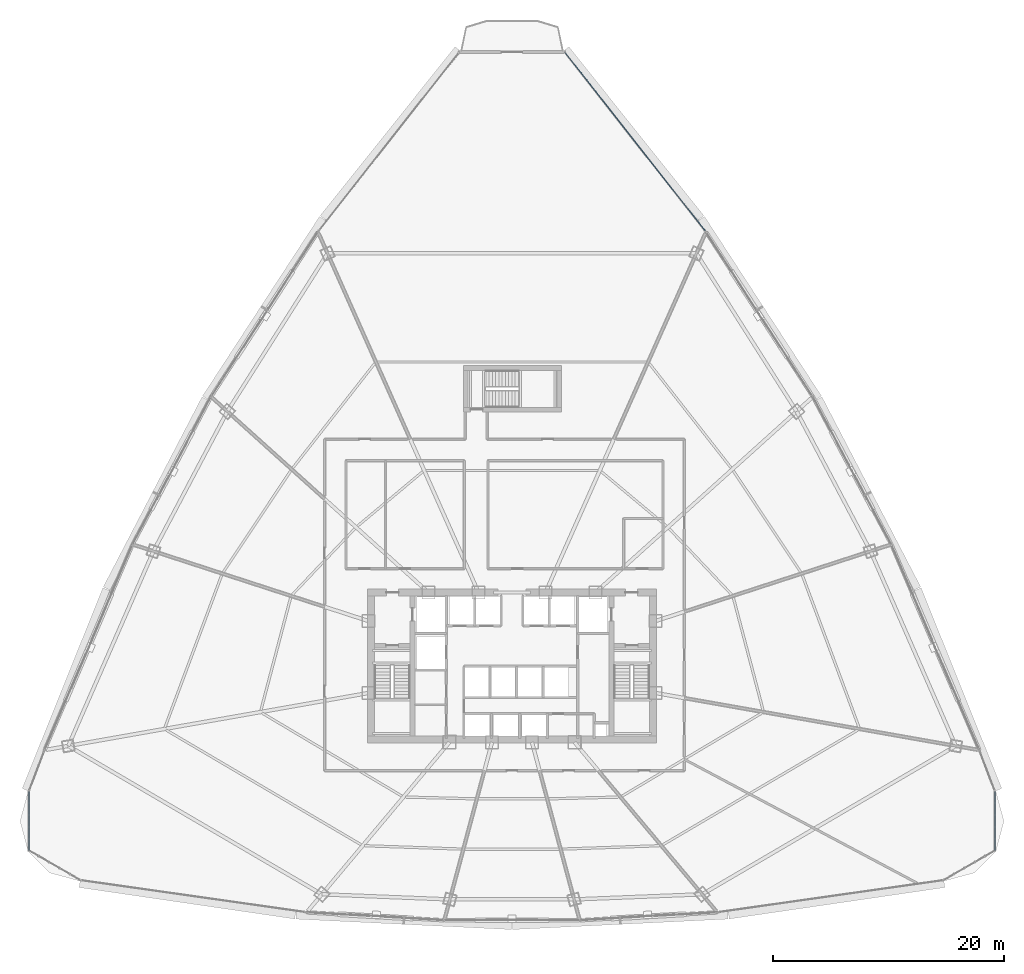
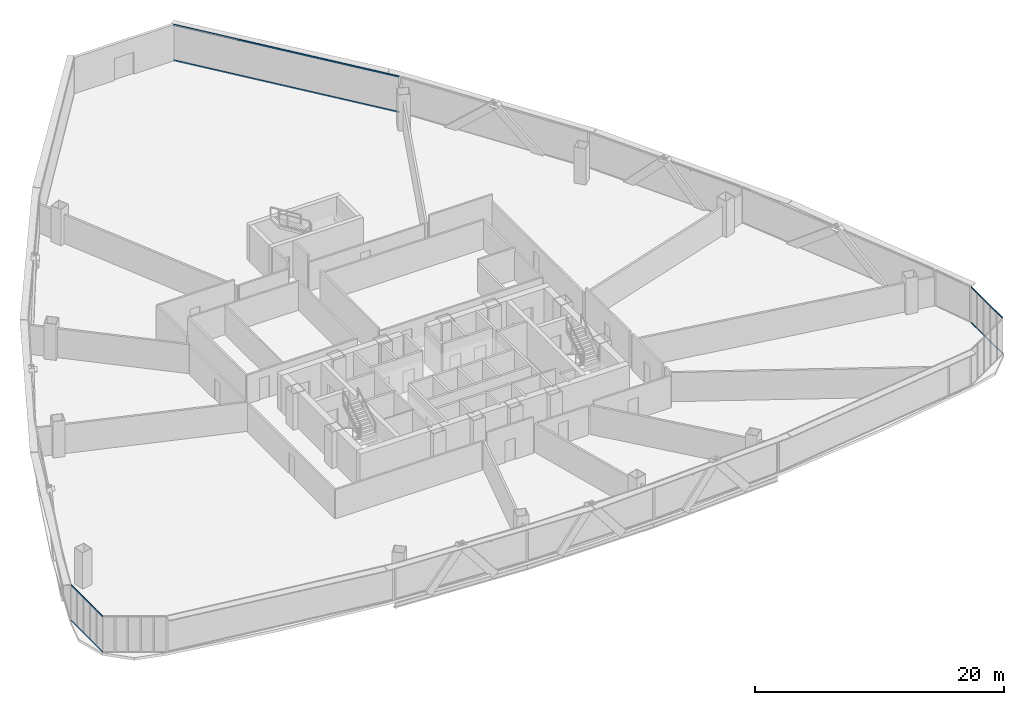
# One storey, part 27 of 39: 22 members, 3 elements without a shape of their own.
"""IFC4 building model written with IfcOpenShell, lengths in metres."""

from ifc_helpers import new_model, si_unit, direction, frame, origin, origin_2d, place, context, subcontext, project, spatial, hollow_rectangle, extrude, source, transform, mapped, material, layer, layer_set, material_profile, profile_set, type_object, element, aggregate, save


model = new_model("IFC4")

# Units and contexts
model_context = context("Model", 3, precision=1e-05, world=origin(), true_north=direction((0.0, 1.0)))
body_context = subcontext(model_context, "Body", "Model", "MODEL_VIEW")
ifc_project = project(units=[si_unit("LENGTHUNIT", "METRE"), si_unit("AREAUNIT", "SQUARE_METRE"), si_unit("VOLUMEUNIT", "CUBIC_METRE"), si_unit("PLANEANGLEUNIT", "RADIAN"), si_unit("MASSUNIT", "GRAM", prefix="KILO"), si_unit("THERMODYNAMICTEMPERATUREUNIT", "KELVIN"), si_unit("POWERUNIT", "WATT")], contexts=[model_context])

# Site, building, storey
site_placement = place(None, origin())
site = spatial("IfcSite", under=ifc_project, at=site_placement, CompositionType="ELEMENT")
building_placement = place(site_placement, origin())
building = spatial("IfcBuilding", under=site, at=building_placement, Name="Yunzhuo Pagoda Commons", CompositionType="ELEMENT")
storey_placement = place(building_placement, frame((0.0, 0.0, 100.179931640625)))
storey = spatial("IfcBuildingStorey", under=building, at=storey_placement, Name="L25", CompositionType="ELEMENT", Elevation=100.179931640625)

# Curtain wall, members
ifc_material = material(Name="Anodized aluminium 6063-T6", Category="aluminium")
ifc_layer_1 = layer(ifc_material, 0.1650390625)
ifc_layer_set_1 = layer_set([ifc_layer_1], Name="Anodized aluminium 6063-T6")
curtain_wall_type_1 = type_object("IfcCurtainWallType", Name="CW-LOW Low-Zone Ribbon Curtain Wall", PredefinedType="NOTDEFINED", material=ifc_layer_set_1)
curtain_wall_1_placement = place(storey_placement, origin())
curtain_wall_1 = element("IfcCurtainWall", 1, at=curtain_wall_1_placement, inside=storey, type_object=curtain_wall_type_1, Name="L25 curtain wall CW-L25-F2B5", PredefinedType="NOTDEFINED")
ifc_material_profile_1 = material_profile(ifc_material, hollow_rectangle(XDim=0.06005859375, YDim=0.139892578125, WallThickness=0.00341796875, at=origin_2d()), Name="Anodized aluminium 6063-T6")
ifc_profile_set_1 = profile_set([ifc_material_profile_1], Name="Anodized aluminium 6063-T6")
member_type_1 = type_object("IfcMemberType", Name="CW-LOW-T Transom RHS 140x60x3.5", PredefinedType="USERDEFINED", material=ifc_profile_set_1)
shared_shape_1 = source(origin(), body_context, "Body", "SweptSolid", [
    extrude(hollow_rectangle(XDim=0.06005859375, YDim=0.139892578125, WallThickness=0.00341796875, at=origin_2d()), origin(), (0.0, 0.0, 1.0), 19.558349609375),
])
member_1_placement = place(storey_placement, frame((64.683837890625, 71.476806640625, 0.030029296875), z_axis=(-0.617957159447, 0.786211771146, 0.0), x_axis=(-0.786211771146, -0.617957159447, 0.0)))
member_1 = element("IfcMember", 2, at=member_1_placement, type_object=member_type_1, Name="CW transom 1.1", ObjectType="TRANSOM", PredefinedType="USERDEFINED", context=body_context, shape_type="MappedRepresentation", body=[
    mapped(shared_shape_1, transform((0.0, 0.0, 0.0), scale=1.0)),
])
member_2_placement = place(storey_placement, frame((64.683837890625, 71.476806640625, 3.510009765625), z_axis=(-0.617957159447, 0.786211771146, 0.0), x_axis=(-0.786211771146, -0.617957159447, 0.0)))
member_2 = element("IfcMember", 3, at=member_2_placement, type_object=member_type_1, Name="CW transom 1.2", ObjectType="TRANSOM", PredefinedType="USERDEFINED", context=body_context, shape_type="MappedRepresentation", body=[
    mapped(shared_shape_1, transform((0.0, 0.0, 0.0), scale=1.0)),
])
aggregate(curtain_wall_1, [member_1, member_2])

ifc_layer_2 = layer(ifc_material, 0.1298828125)
ifc_layer_set_2 = layer_set([ifc_layer_2], Name="Anodized aluminium 6063-T6")
curtain_wall_type_2 = type_object("IfcCurtainWallType", Name="CW-VTX Rounded Corner Curtain Wall", PredefinedType="NOTDEFINED", material=ifc_layer_set_2)
curtain_wall_2_placement = place(storey_placement, origin())
curtain_wall_2 = element("IfcCurtainWall", 4, at=curtain_wall_2_placement, inside=storey, type_object=curtain_wall_type_2, Name="L25 curtain wall CW-L25-VTX1S1", PredefinedType="NOTDEFINED")
ifc_material_profile_2 = material_profile(ifc_material, hollow_rectangle(XDim=0.054931640625, YDim=0.1201171875, WallThickness=0.00341796875, at=origin_2d()), Name="Anodized aluminium 6063-T6")
ifc_profile_set_2 = profile_set([ifc_material_profile_2], Name="Anodized aluminium 6063-T6")
member_type_2 = type_object("IfcMemberType", Name="CW-VTX-T Transom RHS 120x55x3.5", PredefinedType="USERDEFINED", material=ifc_profile_set_2)
shared_shape_2 = source(origin(), body_context, "Body", "SweptSolid", [
    extrude(hollow_rectangle(XDim=0.054931640625, YDim=0.1201171875, WallThickness=0.00341796875, at=origin_2d()), origin(), (0.0, 0.0, 1.0), 0.953125),
])
member_3_placement = place(storey_placement, frame((6.257080078125, 22.977294921875, 0.02783203125), z_axis=(-0.003586042516, -0.999993570129, 0.0), x_axis=(0.999993570129, -0.003586042516, 0.0)))
member_3 = element("IfcMember", 5, at=member_3_placement, type_object=member_type_2, Name="CW transom 1.1", ObjectType="TRANSOM", PredefinedType="USERDEFINED", context=body_context, shape_type="MappedRepresentation", body=[
    mapped(shared_shape_2, transform((0.0, 0.0, 0.0), scale=1.0)),
])
member_4_placement = place(storey_placement, frame((6.257080078125, 22.977294921875, 3.512451171875), z_axis=(-0.003586042516, -0.999993570129, 0.0), x_axis=(0.999993570129, -0.003586042516, 0.0)))
member_4 = element("IfcMember", 6, at=member_4_placement, type_object=member_type_2, Name="CW transom 1.2", ObjectType="TRANSOM", PredefinedType="USERDEFINED", context=body_context, shape_type="MappedRepresentation", body=[
    mapped(shared_shape_2, transform((0.0, 0.0, 0.0), scale=1.0)),
])

curtain_wall_3_placement = place(storey_placement, origin())
curtain_wall_3 = element("IfcCurtainWall", 7, at=curtain_wall_3_placement, inside=storey, type_object=curtain_wall_type_2, Name="L25 curtain wall CW-L25-VTX2S2", PredefinedType="NOTDEFINED")
member_5_placement = place(storey_placement, frame((89.746337890625, 22.024169921875, 0.02783203125), z_axis=(-0.003586042516, 0.999993570129, 0.0), x_axis=(-0.999993570129, -0.003586042516, 0.0)))
member_5 = element("IfcMember", 8, at=member_5_placement, type_object=member_type_2, Name="CW transom 5.1", ObjectType="TRANSOM", PredefinedType="USERDEFINED", context=body_context, shape_type="MappedRepresentation", body=[
    mapped(shared_shape_2, transform((0.0, 0.0, 0.0), scale=1.0)),
])
member_6_placement = place(storey_placement, frame((89.746337890625, 22.024169921875, 3.512451171875), z_axis=(-0.003586042516, 0.999993570129, 0.0), x_axis=(-0.999993570129, -0.003586042516, 0.0)))
member_6 = element("IfcMember", 9, at=member_6_placement, type_object=member_type_2, Name="CW transom 5.2", ObjectType="TRANSOM", PredefinedType="USERDEFINED", context=body_context, shape_type="MappedRepresentation", body=[
    mapped(shared_shape_2, transform((0.0, 0.0, 0.0), scale=1.0)),
])

# Member
shared_shape_3 = source(origin(), body_context, "Body", "SweptSolid", [
    extrude(hollow_rectangle(XDim=0.054931640625, YDim=0.1201171875, WallThickness=0.00341796875, at=origin_2d()), origin(), (0.0, 0.0, 1.0), 0.980224609375),
])
member_7_placement = place(storey_placement, frame((6.25341796875, 21.96923828125, 0.02783203125), z_axis=(-0.003486902837, -0.999993920736, 0.0), x_axis=(0.999993920736, -0.003486902837, 0.0)))
member_7 = element("IfcMember", 10, at=member_7_placement, type_object=member_type_2, Name="CW transom 2.1", ObjectType="TRANSOM", PredefinedType="USERDEFINED", context=body_context, shape_type="MappedRepresentation", body=[
    mapped(shared_shape_3, transform((0.0, 0.0, 0.0), scale=1.0)),
])

member_8_placement = place(storey_placement, frame((6.25341796875, 21.96923828125, 3.512451171875), z_axis=(-0.003486902837, -0.999993920736, 0.0), x_axis=(0.999993920736, -0.003486902837, 0.0)))
member_8 = element("IfcMember", 11, at=member_8_placement, type_object=member_type_2, Name="CW transom 2.2", ObjectType="TRANSOM", PredefinedType="USERDEFINED", context=body_context, shape_type="MappedRepresentation", body=[
    mapped(shared_shape_3, transform((0.0, 0.0, 0.0), scale=1.0)),
])

member_9_placement = place(storey_placement, frame((89.75, 20.989013671875, 0.02783203125), z_axis=(-0.003486902837, 0.999993920736, 0.0), x_axis=(-0.999993920736, -0.003486902837, 0.0)))
member_9 = element("IfcMember", 12, at=member_9_placement, type_object=member_type_2, Name="CW transom 4.1", ObjectType="TRANSOM", PredefinedType="USERDEFINED", context=body_context, shape_type="MappedRepresentation", body=[
    mapped(shared_shape_3, transform((0.0, 0.0, 0.0), scale=1.0)),
])

member_10_placement = place(storey_placement, frame((89.75, 20.989013671875, 3.512451171875), z_axis=(-0.003486902837, 0.999993920736, 0.0), x_axis=(-0.999993920736, -0.003486902837, 0.0)))
member_10 = element("IfcMember", 13, at=member_10_placement, type_object=member_type_2, Name="CW transom 4.2", ObjectType="TRANSOM", PredefinedType="USERDEFINED", context=body_context, shape_type="MappedRepresentation", body=[
    mapped(shared_shape_3, transform((0.0, 0.0, 0.0), scale=1.0)),
])

shared_shape_4 = source(origin(), body_context, "Body", "SweptSolid", [
    extrude(hollow_rectangle(XDim=0.054931640625, YDim=0.1201171875, WallThickness=0.00341796875, at=origin_2d()), origin(), (0.0, 0.0, 1.0), 0.980712890625),
])
member_11_placement = place(storey_placement, frame((6.249755859375, 20.933837890625, 0.02783203125), z_axis=(-0.003485166785, -0.999993926788, 0.0), x_axis=(0.999993926788, -0.003485166785, 0.0)))
member_11 = element("IfcMember", 14, at=member_11_placement, type_object=member_type_2, Name="CW transom 3.1", ObjectType="TRANSOM", PredefinedType="USERDEFINED", context=body_context, shape_type="MappedRepresentation", body=[
    mapped(shared_shape_4, transform((0.0, 0.0, 0.0), scale=1.0)),
])

member_12_placement = place(storey_placement, frame((6.249755859375, 20.933837890625, 3.512451171875), z_axis=(-0.003485166785, -0.999993926788, 0.0), x_axis=(0.999993926788, -0.003485166785, 0.0)))
member_12 = element("IfcMember", 15, at=member_12_placement, type_object=member_type_2, Name="CW transom 3.2", ObjectType="TRANSOM", PredefinedType="USERDEFINED", context=body_context, shape_type="MappedRepresentation", body=[
    mapped(shared_shape_4, transform((0.0, 0.0, 0.0), scale=1.0)),
])

member_13_placement = place(storey_placement, frame((89.753662109375, 19.953125, 0.02783203125), z_axis=(-0.003485166785, 0.999993926788, 0.0), x_axis=(-0.999993926788, -0.003485166785, 0.0)))
member_13 = element("IfcMember", 16, at=member_13_placement, type_object=member_type_2, Name="CW transom 3.1", ObjectType="TRANSOM", PredefinedType="USERDEFINED", context=body_context, shape_type="MappedRepresentation", body=[
    mapped(shared_shape_4, transform((0.0, 0.0, 0.0), scale=1.0)),
])

member_14_placement = place(storey_placement, frame((89.753662109375, 19.953125, 3.512451171875), z_axis=(-0.003485166785, 0.999993926788, 0.0), x_axis=(-0.999993926788, -0.003485166785, 0.0)))
member_14 = element("IfcMember", 17, at=member_14_placement, type_object=member_type_2, Name="CW transom 3.2", ObjectType="TRANSOM", PredefinedType="USERDEFINED", context=body_context, shape_type="MappedRepresentation", body=[
    mapped(shared_shape_4, transform((0.0, 0.0, 0.0), scale=1.0)),
])

shared_shape_5 = source(origin(), body_context, "Body", "SweptSolid", [
    extrude(hollow_rectangle(XDim=0.054931640625, YDim=0.1201171875, WallThickness=0.00341796875, at=origin_2d()), origin(), (0.0, 0.0, 1.0), 0.98046875),
])
member_15_placement = place(storey_placement, frame((6.24609375, 19.898193359375, 0.02783203125), z_axis=(-0.003486034595, -0.999993923763, 0.0), x_axis=(0.999993923763, -0.003486034595, 0.0)))
member_15 = element("IfcMember", 18, at=member_15_placement, type_object=member_type_2, Name="CW transom 4.1", ObjectType="TRANSOM", PredefinedType="USERDEFINED", context=body_context, shape_type="MappedRepresentation", body=[
    mapped(shared_shape_5, transform((0.0, 0.0, 0.0), scale=1.0)),
])

member_16_placement = place(storey_placement, frame((6.24609375, 19.898193359375, 3.512451171875), z_axis=(-0.003486034595, -0.999993923763, 0.0), x_axis=(0.999993923763, -0.003486034595, 0.0)))
member_16 = element("IfcMember", 19, at=member_16_placement, type_object=member_type_2, Name="CW transom 4.2", ObjectType="TRANSOM", PredefinedType="USERDEFINED", context=body_context, shape_type="MappedRepresentation", body=[
    mapped(shared_shape_5, transform((0.0, 0.0, 0.0), scale=1.0)),
])

member_17_placement = place(storey_placement, frame((89.75732421875, 18.917724609375, 0.02783203125), z_axis=(-0.003486034595, 0.999993923763, 0.0), x_axis=(-0.999993923763, -0.003486034595, 0.0)))
member_17 = element("IfcMember", 20, at=member_17_placement, type_object=member_type_2, Name="CW transom 2.1", ObjectType="TRANSOM", PredefinedType="USERDEFINED", context=body_context, shape_type="MappedRepresentation", body=[
    mapped(shared_shape_5, transform((0.0, 0.0, 0.0), scale=1.0)),
])

member_18_placement = place(storey_placement, frame((89.75732421875, 18.917724609375, 3.512451171875), z_axis=(-0.003486034595, 0.999993923763, 0.0), x_axis=(-0.999993923763, -0.003486034595, 0.0)))
member_18 = element("IfcMember", 21, at=member_18_placement, type_object=member_type_2, Name="CW transom 2.2", ObjectType="TRANSOM", PredefinedType="USERDEFINED", context=body_context, shape_type="MappedRepresentation", body=[
    mapped(shared_shape_5, transform((0.0, 0.0, 0.0), scale=1.0)),
])

shared_shape_6 = source(origin(), body_context, "Body", "SweptSolid", [
    extrude(hollow_rectangle(XDim=0.054931640625, YDim=0.1201171875, WallThickness=0.00341796875, at=origin_2d()), origin(), (0.0, 0.0, 1.0), 0.952880859375),
])
member_19_placement = place(storey_placement, frame((6.242431640625, 18.862548828125, 0.02783203125), z_axis=(-0.003586961295, -0.999993566834, 0.0), x_axis=(0.999993566834, -0.003586961295, 0.0)))
member_19 = element("IfcMember", 22, at=member_19_placement, type_object=member_type_2, Name="CW transom 5.1", ObjectType="TRANSOM", PredefinedType="USERDEFINED", context=body_context, shape_type="MappedRepresentation", body=[
    mapped(shared_shape_6, transform((0.0, 0.0, 0.0), scale=1.0)),
])

member_20_placement = place(storey_placement, frame((6.242431640625, 18.862548828125, 3.512451171875), z_axis=(-0.003586961295, -0.999993566834, 0.0), x_axis=(0.999993566834, -0.003586961295, 0.0)))
member_20 = element("IfcMember", 23, at=member_20_placement, type_object=member_type_2, Name="CW transom 5.2", ObjectType="TRANSOM", PredefinedType="USERDEFINED", context=body_context, shape_type="MappedRepresentation", body=[
    mapped(shared_shape_6, transform((0.0, 0.0, 0.0), scale=1.0)),
])

aggregate(curtain_wall_2, [member_3, member_4, member_7, member_8, member_11, member_12, member_15, member_16, member_19, member_20])

member_21_placement = place(storey_placement, frame((89.760986328125, 17.90966796875, 0.02783203125), z_axis=(-0.003586961295, 0.999993566834, 0.0), x_axis=(-0.999993566834, -0.003586961295, 0.0)))
member_21 = element("IfcMember", 24, at=member_21_placement, type_object=member_type_2, Name="CW transom 1.1", ObjectType="TRANSOM", PredefinedType="USERDEFINED", context=body_context, shape_type="MappedRepresentation", body=[
    mapped(shared_shape_6, transform((0.0, 0.0, 0.0), scale=1.0)),
])

member_22_placement = place(storey_placement, frame((89.760986328125, 17.90966796875, 3.512451171875), z_axis=(-0.003586961295, 0.999993566834, 0.0), x_axis=(-0.999993566834, -0.003586961295, 0.0)))
member_22 = element("IfcMember", 25, at=member_22_placement, type_object=member_type_2, Name="CW transom 1.2", ObjectType="TRANSOM", PredefinedType="USERDEFINED", context=body_context, shape_type="MappedRepresentation", body=[
    mapped(shared_shape_6, transform((0.0, 0.0, 0.0), scale=1.0)),
])

aggregate(curtain_wall_3, [member_21, member_22, member_17, member_18, member_13, member_14, member_9, member_10, member_5, member_6])

save(model, "model.ifc")
